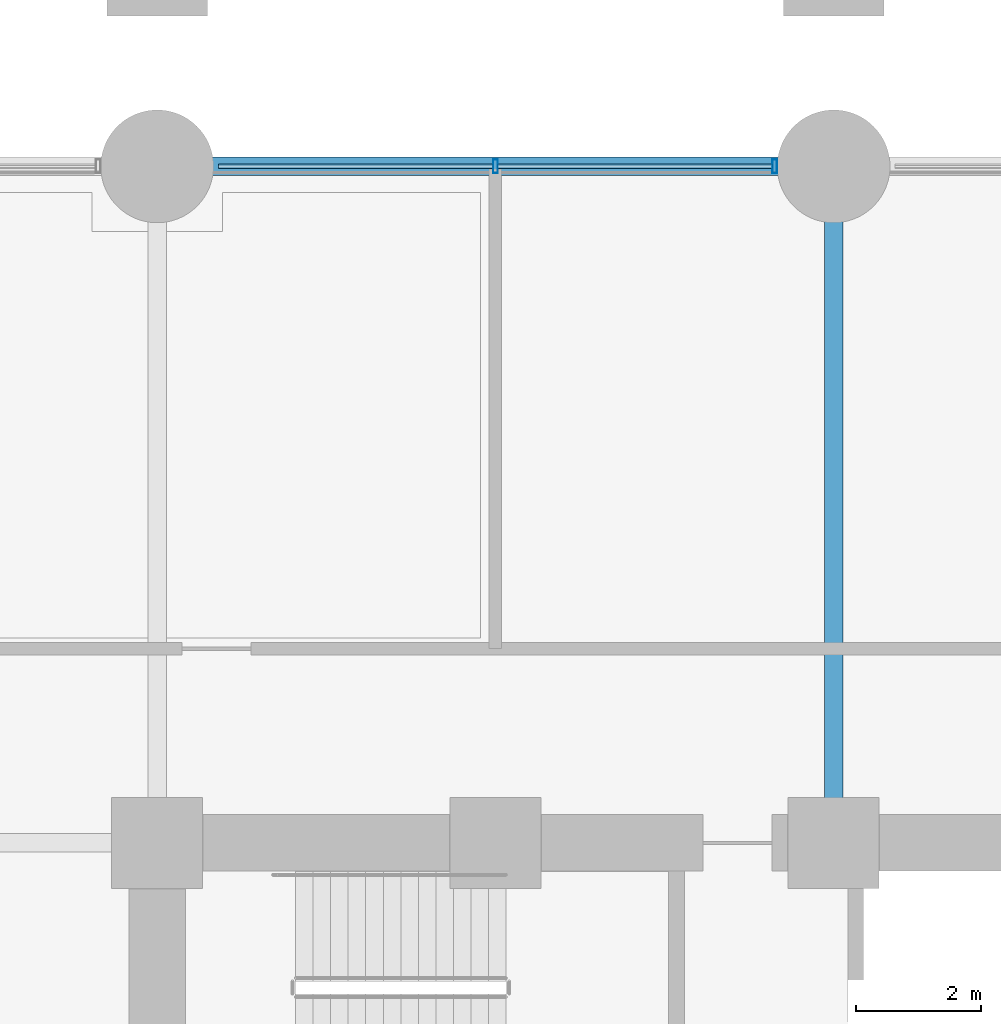
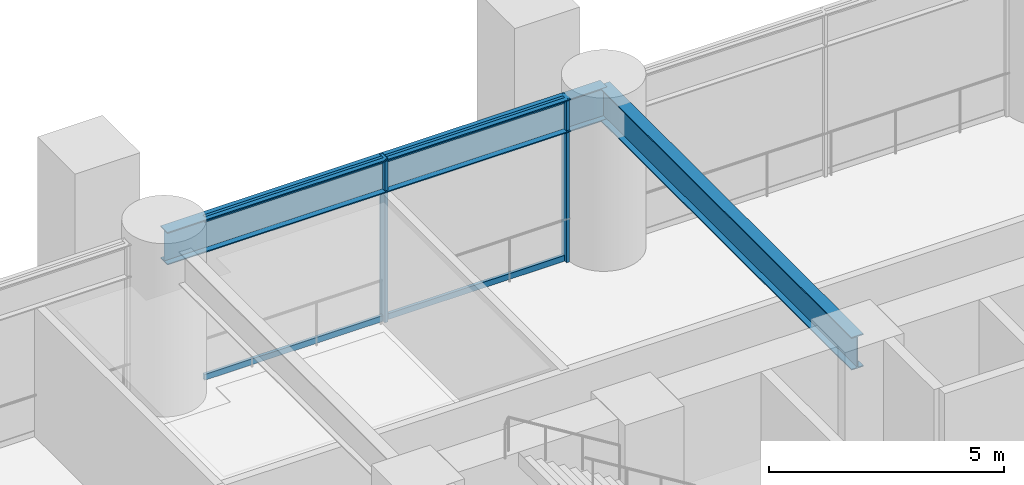
# One storey, part 14 of 31: 6 members, 2 beams, 1 element without a shape of its own.
"""IFC4 building model written with IfcOpenShell, lengths in metres."""

from ifc_helpers import new_model, si_unit, direction, frame, origin, origin_2d, place, context, subcontext, project, spatial, hollow_rectangle, i_section, extrude, material, layer, layer_set, material_profile, profile_set, type_object, element, aggregate, save


model = new_model("IFC4")

# Units and contexts
model_context = context("Model", 3, precision=1e-05, world=origin(), true_north=direction((0.0, 1.0)))
body_context = subcontext(model_context, "Body", "Model", "MODEL_VIEW")
ifc_project = project(units=[si_unit("LENGTHUNIT", "METRE"), si_unit("AREAUNIT", "SQUARE_METRE"), si_unit("VOLUMEUNIT", "CUBIC_METRE"), si_unit("PLANEANGLEUNIT", "RADIAN"), si_unit("MASSUNIT", "GRAM", prefix="KILO")], contexts=[model_context])

# Site, building, storey
site_placement = place(None, origin())
site = spatial("IfcSite", under=ifc_project, at=site_placement, CompositionType="ELEMENT")
building_placement = place(site_placement, origin())
building = spatial("IfcBuilding", under=site, at=building_placement, Name="Surkhivell Harbour Commons", CompositionType="ELEMENT")
storey_placement = place(building_placement, frame((0.0, 0.0, 4.5)))
storey = spatial("IfcBuildingStorey", under=building, at=storey_placement, Name="L01", CompositionType="ELEMENT", Elevation=4.5)

# Beams
ifc_material_1 = material(Name="Steel S460", Category="steel")
ifc_material_profile_1 = material_profile(ifc_material_1, i_section(OverallWidth=0.2939453125, OverallDepth=0.85107421875, WebThickness=0.01611328125, FlangeThickness=0.02685546875, at=origin_2d()), Name="UB838x292x226")
ifc_profile_set_1 = profile_set([ifc_material_profile_1], Name="Steel S460")
beam_type = type_object("IfcBeamType", Name="BM-SPN-838", PredefinedType="SPANDREL", material=ifc_profile_set_1)
for number, where, z_axis, x_axis, name in (
    (1, (-10.800048828125, 21.60009765625, 3.824462890625), (1.0, 0.0, 0.0), (0.0, 1.0, 0.0), "L01 Framing Beam (-10.8,21.6)"),
    (2, (0.0, 10.800048828125, 3.824462890625), (0.0, 1.0, 0.0), (-1.0, 0.0, 0.0), "L01 Framing Beam (0.0,10.8)"),
):
    element("IfcBeam", number, at=place(storey_placement, frame(where, z_axis=z_axis, x_axis=x_axis)), inside=storey, type_object=beam_type, Name=name, PredefinedType="SPANDREL", context=body_context, shape_type="SweptSolid", body=[
        extrude(i_section(OverallWidth=0.2939453125, OverallDepth=0.85107421875, WebThickness=0.01611328125, FlangeThickness=0.02685546875, at=origin_2d()), origin(), (0.0, 0.0, 1.0), 10.800048828125),
    ])

# Curtain wall, members
ifc_material_2 = material(Name="Anodised pale-metal aluminium and insulated glazing", Category="aluminium")
ifc_layer = layer(ifc_material_2, 0.239990234375)
ifc_layer_set = layer_set([ifc_layer], Name="Anodised pale-metal aluminium and insulated glazing")
curtain_wall_type = type_object("IfcCurtainWallType", Name="CW-SYS-POD", PredefinedType="NOTDEFINED", material=ifc_layer_set)
curtain_wall_placement = place(storey_placement, origin())
curtain_wall = element("IfcCurtainWall", 3, at=curtain_wall_placement, inside=storey, type_object=curtain_wall_type, Name="L01 Curtain Wall CW-L01-P03", PredefinedType="NOTDEFINED")
ifc_material_3 = material(Name="Anodised pale-metal aluminium alloy 6063-T6", Category="aluminium")
ifc_material_profile_2 = material_profile(ifc_material_3, hollow_rectangle(XDim=0.074951171875, YDim=0.219970703125, WallThickness=0.00390625, at=origin_2d()), Name="ALU-MULL-75x220")
ifc_profile_set_2 = profile_set([ifc_material_profile_2], Name="Anodised pale-metal aluminium alloy 6063-T6")
member_type_1 = type_object("IfcMemberType", Name="CWM-220", PredefinedType="MULLION", material=ifc_profile_set_2)
member_1_placement = place(storey_placement, frame((-0.939453125, 21.60009765625, 0.0), z_axis=(0.0, 0.0, 1.0), x_axis=(-1.0, 0.0, 0.0)))
member_1 = element("IfcMember", 4, at=member_1_placement, type_object=member_type_1, Name="CW-POD mullion 7", PredefinedType="MULLION", context=body_context, shape_type="SweptSolid", body=[
    extrude(hollow_rectangle(XDim=0.074951171875, YDim=0.219970703125, WallThickness=0.00390625, at=origin_2d()), origin(), (0.0, 0.0, 1.0), 4.25),
])
member_2_placement = place(storey_placement, frame((-5.39990234375, 21.60009765625, 0.0), z_axis=(0.0, 0.0, 1.0), x_axis=(-1.0, 0.0, 0.0)))
member_2 = element("IfcMember", 5, at=member_2_placement, type_object=member_type_1, Name="CW-POD mullion 8", PredefinedType="MULLION", context=body_context, shape_type="SweptSolid", body=[
    extrude(hollow_rectangle(XDim=0.074951171875, YDim=0.219970703125, WallThickness=0.00390625, at=origin_2d()), origin(), (0.0, 0.0, 1.0), 4.25),
])
ifc_material_profile_3 = material_profile(ifc_material_3, hollow_rectangle(XDim=0.074951171875, YDim=0.14990234375, WallThickness=0.00341796875, at=origin_2d()), Name="ALU-TRAN-75x150")
ifc_profile_set_3 = profile_set([ifc_material_profile_3], Name="Anodised pale-metal aluminium alloy 6063-T6")
member_type_2 = type_object("IfcMemberType", Name="CWT-150", PredefinedType="USERDEFINED", material=ifc_profile_set_3)
member_3_placement = place(storey_placement, frame((-0.97705078125, 21.60009765625, 0.074951171875), z_axis=(-1.0, 0.0, 0.0), x_axis=(0.0, -1.0, 0.0)))
member_3 = element("IfcMember", 6, at=member_3_placement, type_object=member_type_2, Name="CW-POD transom 7.1", ObjectType="TRANSOM", PredefinedType="USERDEFINED", context=body_context, shape_type="SweptSolid", body=[
    extrude(hollow_rectangle(XDim=0.074951171875, YDim=0.14990234375, WallThickness=0.00341796875, at=origin_2d()), origin(), (0.0, 0.0, 1.0), 4.385498046875),
])
member_4_placement = place(storey_placement, frame((-0.97705078125, 21.60009765625, 4.175048828125), z_axis=(-1.0, 0.0, 0.0), x_axis=(0.0, -1.0, 0.0)))
member_4 = element("IfcMember", 7, at=member_4_placement, type_object=member_type_2, Name="CW-POD transom 7.2", ObjectType="TRANSOM", PredefinedType="USERDEFINED", context=body_context, shape_type="SweptSolid", body=[
    extrude(hollow_rectangle(XDim=0.074951171875, YDim=0.14990234375, WallThickness=0.00341796875, at=origin_2d()), origin(), (0.0, 0.0, 1.0), 4.385498046875),
])
member_5_placement = place(storey_placement, frame((-5.4375, 21.60009765625, 0.074951171875), z_axis=(-1.0, 0.0, 0.0), x_axis=(0.0, -1.0, 0.0)))
member_5 = element("IfcMember", 8, at=member_5_placement, type_object=member_type_2, Name="CW-POD transom 8.1", ObjectType="TRANSOM", PredefinedType="USERDEFINED", context=body_context, shape_type="SweptSolid", body=[
    extrude(hollow_rectangle(XDim=0.074951171875, YDim=0.14990234375, WallThickness=0.00341796875, at=origin_2d()), origin(), (0.0, 0.0, 1.0), 4.385498046875),
])
member_6_placement = place(storey_placement, frame((-5.4375, 21.60009765625, 4.175048828125), z_axis=(-1.0, 0.0, 0.0), x_axis=(0.0, -1.0, 0.0)))
member_6 = element("IfcMember", 9, at=member_6_placement, type_object=member_type_2, Name="CW-POD transom 8.2", ObjectType="TRANSOM", PredefinedType="USERDEFINED", context=body_context, shape_type="SweptSolid", body=[
    extrude(hollow_rectangle(XDim=0.074951171875, YDim=0.14990234375, WallThickness=0.00341796875, at=origin_2d()), origin(), (0.0, 0.0, 1.0), 4.385498046875),
])
aggregate(curtain_wall, [member_1, member_2, member_3, member_4, member_5, member_6])

save(model, "model.ifc")
